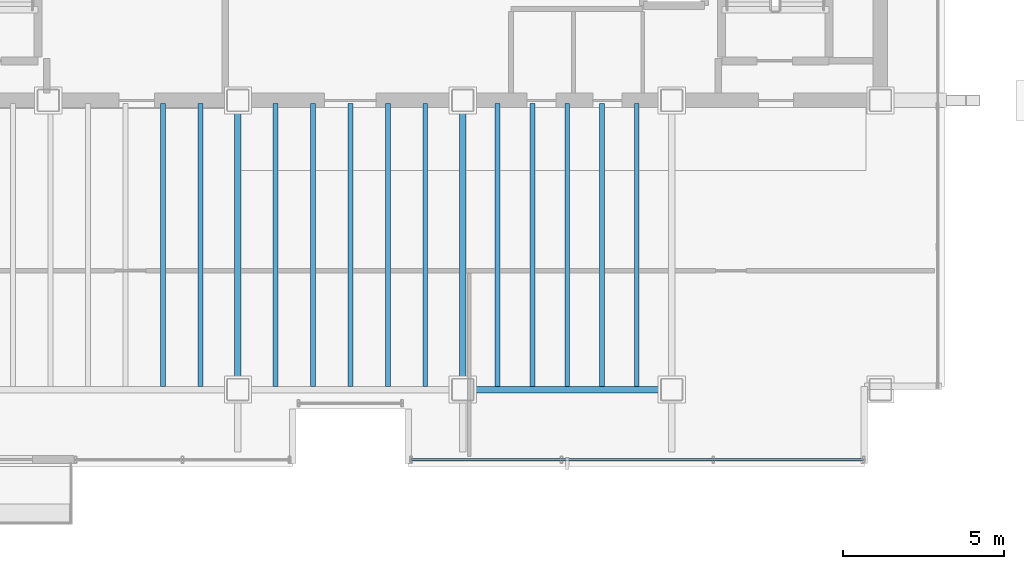
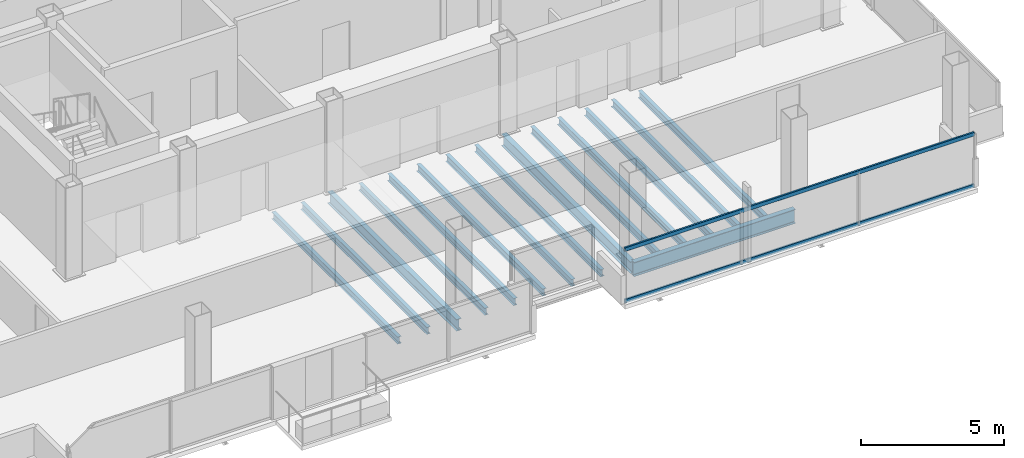
# One storey, part 6 of 16: 15 beams, 2 members, 1 element without a shape of its own.
"""IFC4 building model written with IfcOpenShell, lengths in metres."""

from ifc_helpers import new_model, si_unit, direction, frame, origin, origin_2d, place, context, subcontext, project, spatial, hollow_rectangle, i_section, extrude, material, material_profile, profile_set, type_object, element, aggregate, save


model = new_model("IFC4")

# Units and contexts
model_context = context("Model", 3, precision=1e-05, world=origin(), true_north=direction((0.0, 1.0)))
body_context = subcontext(model_context, "Body", "Model", "MODEL_VIEW")
ifc_project = project(units=[si_unit("LENGTHUNIT", "METRE"), si_unit("AREAUNIT", "SQUARE_METRE"), si_unit("VOLUMEUNIT", "CUBIC_METRE"), si_unit("PLANEANGLEUNIT", "RADIAN"), si_unit("MASSUNIT", "GRAM", prefix="KILO")], contexts=[model_context])

# Site, building, storey
site_placement = place(None, origin())
site = spatial("IfcSite", under=ifc_project, at=site_placement, CompositionType="ELEMENT")
building_placement = place(site_placement, origin())
building = spatial("IfcBuilding", under=site, at=building_placement, Name="Noeulbin Bourse Tower", CompositionType="ELEMENT")
storey_placement = place(building_placement, frame((0.0, 0.0, 277.39990234375)))
storey = spatial("IfcBuildingStorey", under=building, at=storey_placement, Name="L69", CompositionType="ELEMENT", Elevation=277.39990234375)

# Beams
ifc_material_1 = material(Name="Steel S355", Category="steel")
ifc_material_profile_1 = material_profile(ifc_material_1, i_section(OverallWidth=0.199951171875, OverallDepth=0.5, WebThickness=0.010009765625, FlangeThickness=0.01611328125, FilletRadius=0.02001953125, at=origin_2d()), Name="H-500x200x10x16", Category="LoadBearing")
ifc_profile_set_1 = profile_set([ifc_material_profile_1], Name="Steel S355")
beam_type_1 = type_object("IfcBeamType", Name="BM-GRD-500", PredefinedType="USERDEFINED", material=ifc_profile_set_1)
for number, where, z_axis, x_axis, name in (
    (1, (24.0, 20.0, -0.429931640625), (0.0, 1.0, 0.0), (-1.0, 0.0, 0.0), "Tower Primary Girder NS L69-2.2"),
    (2, (31.0, 20.0, -0.429931640625), (0.0, 1.0, 0.0), (-1.0, 0.0, 0.0), "Tower Primary Girder NS L69-3.2"),
):
    element("IfcBeam", number, at=place(storey_placement, frame(where, z_axis=z_axis, x_axis=x_axis)), inside=storey, type_object=beam_type_1, Name=name, ObjectType="GIRDER", PredefinedType="USERDEFINED", context=body_context, shape_type="SweptSolid", body=[
        extrude(i_section(OverallWidth=0.199951171875, OverallDepth=0.5, WebThickness=0.010009765625, FlangeThickness=0.01611328125, FilletRadius=0.02001953125, at=origin_2d()), origin(), (0.0, 0.0, 1.0), 9.0),
    ])
ifc_material_profile_2 = material_profile(ifc_material_1, i_section(OverallWidth=0.199951171875, OverallDepth=0.60009765625, WebThickness=0.010986328125, FlangeThickness=0.01708984375, FilletRadius=0.02197265625, at=origin_2d()), Name="H-600x200x11x17", Category="LoadBearing")
ifc_profile_set_2 = profile_set([ifc_material_profile_2], Name="Steel S355")
beam_type_2 = type_object("IfcBeamType", Name="BM-GRD-600", PredefinedType="USERDEFINED", material=ifc_profile_set_2)
beam_placement = place(storey_placement, frame((31.0, 20.0, -0.47998046875), z_axis=(1.0, 0.0, 0.0), x_axis=(0.0, 1.0, 0.0)))
element("IfcBeam", 3, at=beam_placement, inside=storey, type_object=beam_type_2, Name="Tower Primary Girder EW L69-1.3", ObjectType="GIRDER", PredefinedType="USERDEFINED", context=body_context, shape_type="SweptSolid", body=[
    extrude(i_section(OverallWidth=0.199951171875, OverallDepth=0.60009765625, WebThickness=0.010986328125, FlangeThickness=0.01708984375, FilletRadius=0.02197265625, at=origin_2d()), origin(), (0.0, 0.0, 1.0), 6.5),
])
ifc_material_profile_3 = material_profile(ifc_material_1, i_section(OverallWidth=0.14990234375, OverallDepth=0.300048828125, WebThickness=0.006591796875, FlangeThickness=0.009033203125, FilletRadius=0.012939453125, at=origin_2d()), Name="H-300x150x6.5x9", Category="LoadBearing")
ifc_profile_set_3 = profile_set([ifc_material_profile_3], Name="Steel S355")
beam_type_3 = type_object("IfcBeamType", Name="BM-JST-300", PredefinedType="JOIST", material=ifc_profile_set_3)
for number, where, z_axis, x_axis, name in (
    (4, (21.666748046875, 20.10009765625, -0.329833984375), (0.0, 1.0, 0.0), (-1.0, 0.0, 0.0), "Tower Composite Joist L69-13"),
    (5, (22.833251953125, 20.10009765625, -0.329833984375), (0.0, 1.0, 0.0), (-1.0, 0.0, 0.0), "Tower Composite Joist L69-15"),
    (6, (25.166748046875, 20.10009765625, -0.329833984375), (0.0, 1.0, 0.0), (-1.0, 0.0, 0.0), "Tower Composite Joist L69-17"),
    (7, (26.333251953125, 20.10009765625, -0.329833984375), (0.0, 1.0, 0.0), (-1.0, 0.0, 0.0), "Tower Composite Joist L69-19"),
    (8, (27.5, 20.10009765625, -0.329833984375), (0.0, 1.0, 0.0), (-1.0, 0.0, 0.0), "Tower Composite Joist L69-21"),
    (9, (28.666748046875, 20.10009765625, -0.329833984375), (0.0, 1.0, 0.0), (-1.0, 0.0, 0.0), "Tower Composite Joist L69-23"),
    (10, (29.833251953125, 20.10009765625, -0.329833984375), (0.0, 1.0, 0.0), (-1.0, 0.0, 0.0), "Tower Composite Joist L69-25"),
    (11, (32.083251953125, 20.10009765625, -0.329833984375), (0.0, 1.0, 0.0), (-1.0, 0.0, 0.0), "Tower Composite Joist L69-27"),
    (12, (33.166748046875, 20.10009765625, -0.329833984375), (0.0, 1.0, 0.0), (-1.0, 0.0, 0.0), "Tower Composite Joist L69-29"),
    (13, (34.25, 20.10009765625, -0.329833984375), (0.0, 1.0, 0.0), (-1.0, 0.0, 0.0), "Tower Composite Joist L69-31"),
    (14, (35.333251953125, 20.10009765625, -0.329833984375), (0.0, 1.0, 0.0), (-1.0, 0.0, 0.0), "Tower Composite Joist L69-33"),
    (15, (36.416748046875, 20.10009765625, -0.329833984375), (0.0, 1.0, 0.0), (-1.0, 0.0, 0.0), "Tower Composite Joist L69-35"),
):
    element("IfcBeam", number, at=place(storey_placement, frame(where, z_axis=z_axis, x_axis=x_axis)), inside=storey, type_object=beam_type_3, Name=name, PredefinedType="JOIST", context=body_context, shape_type="SweptSolid", body=[
        extrude(i_section(OverallWidth=0.14990234375, OverallDepth=0.300048828125, WebThickness=0.006591796875, FlangeThickness=0.009033203125, FilletRadius=0.012939453125, at=origin_2d()), origin(), (0.0, 0.0, 1.0), 8.7998046875),
    ])

# Curtain wall, members
ifc_material_2 = material(Name="High-Selectivity Low-Iron Glazing", Category="glass")
curtain_wall_type = type_object("IfcCurtainWallType", Name="CW-SYS-4", PredefinedType="NOTDEFINED", material=ifc_material_2)
curtain_wall_placement = place(storey_placement, origin())
curtain_wall = element("IfcCurtainWall", 16, at=curtain_wall_placement, inside=storey, type_object=curtain_wall_type, Name="Unitised Curtain Wall CW-L69-S3", PredefinedType="NOTDEFINED")
ifc_material_3 = material(Name="Anodised Aluminium 6063-T6", Category="aluminium")
ifc_material_profile_4 = material_profile(ifc_material_3, hollow_rectangle(XDim=0.074951171875, YDim=0.159912109375, WallThickness=0.0048828125, InnerFilletRadius=0.00244140625, OuterFilletRadius=0.0048828125, at=origin_2d()), Name="ALU-TRAN-75x160x5", Category="LoadBearing")
ifc_profile_set_4 = profile_set([ifc_material_profile_4], Name="Anodised Aluminium 6063-T6")
member_type = type_object("IfcMemberType", Name="CW-SYS-4-TRN", PredefinedType="USERDEFINED", material=ifc_profile_set_4)
member_1_placement = place(storey_placement, frame((29.39990234375, 17.820068359375, 0.010009765625), z_axis=(1.0, 0.0, 0.0), x_axis=(0.0, 1.0, 0.0)))
member_1 = element("IfcMember", 17, at=member_1_placement, type_object=member_type, Name="Curtain Wall Transom CW-L69-S3-T00", ObjectType="TRANSOM", PredefinedType="USERDEFINED", context=body_context, shape_type="SweptSolid", body=[
    extrude(hollow_rectangle(XDim=0.074951171875, YDim=0.159912109375, WallThickness=0.0048828125, InnerFilletRadius=0.00244140625, OuterFilletRadius=0.0048828125, at=origin_2d()), origin(), (0.0, 0.0, 1.0), 14.070068359375),
])
member_2_placement = place(storey_placement, frame((29.39990234375, 17.820068359375, 2.210205078125), z_axis=(1.0, 0.0, 0.0), x_axis=(0.0, 1.0, 0.0)))
member_2 = element("IfcMember", 18, at=member_2_placement, type_object=member_type, Name="Curtain Wall Transom CW-L69-S3-T01", ObjectType="TRANSOM", PredefinedType="USERDEFINED", context=body_context, shape_type="SweptSolid", body=[
    extrude(hollow_rectangle(XDim=0.074951171875, YDim=0.159912109375, WallThickness=0.0048828125, InnerFilletRadius=0.00244140625, OuterFilletRadius=0.0048828125, at=origin_2d()), origin(), (0.0, 0.0, 1.0), 14.070068359375),
])
aggregate(curtain_wall, [member_1, member_2])

save(model, "model.ifc")
